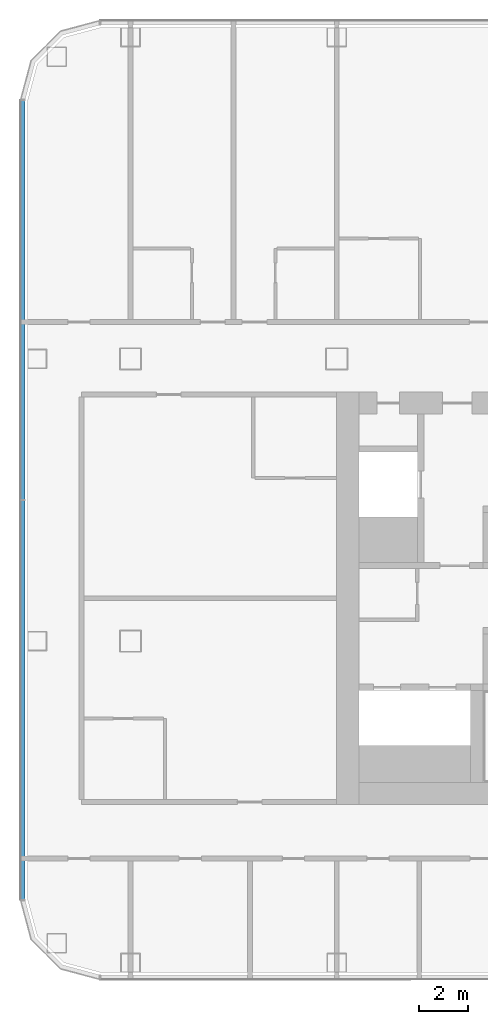
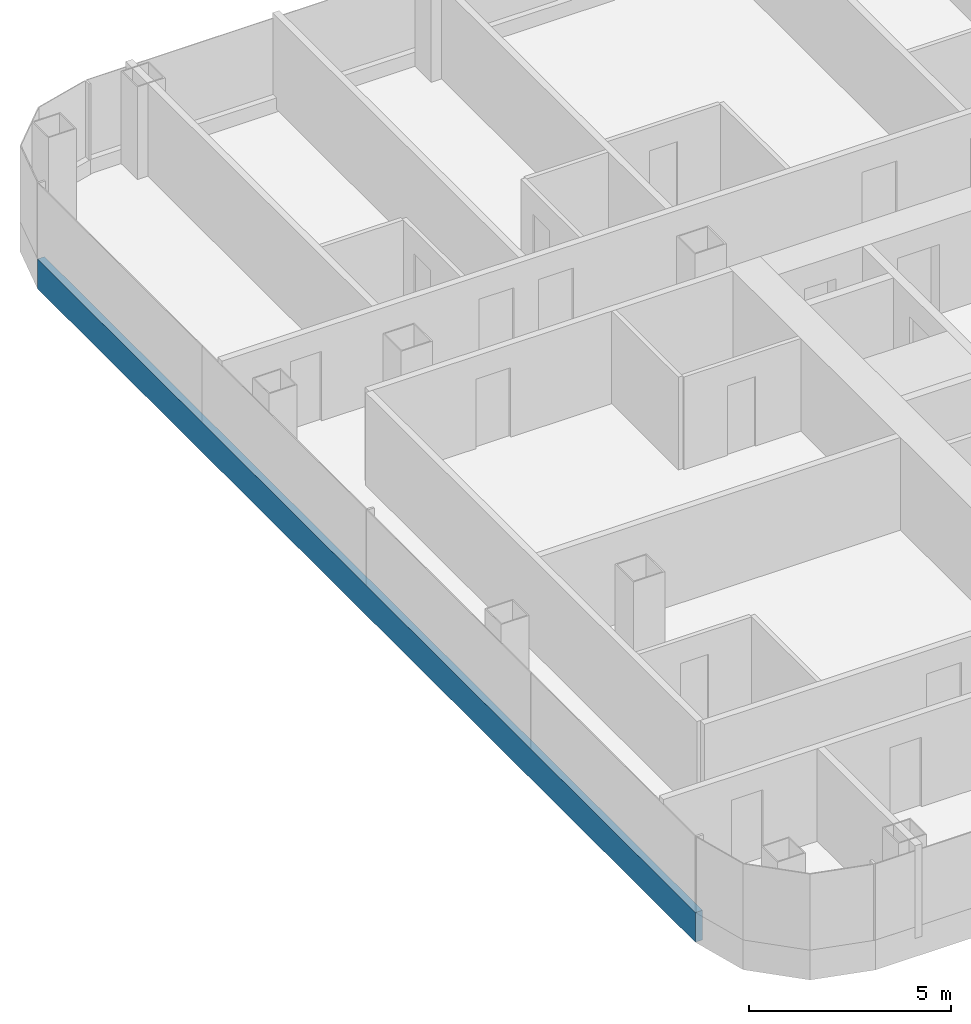
# One storey, part 3 of 29: 1 member, 1 element without a shape of its own.
"""IFC4 building model written with IfcOpenShell, lengths in metres."""

from ifc_helpers import new_model, si_unit, direction, frame, origin, origin_2d, place, context, subcontext, project, spatial, rectangle, extrude, material, layer, layer_set, material_profile, profile_set, type_object, element, aggregate, save


model = new_model("IFC4")

# Units and contexts
model_context = context("Model", 3, precision=1e-05, world=origin(), true_north=direction((0.0, 1.0)))
body_context = subcontext(model_context, "Body", "Model", "MODEL_VIEW")
ifc_project = project(units=[si_unit("LENGTHUNIT", "METRE"), si_unit("AREAUNIT", "SQUARE_METRE"), si_unit("VOLUMEUNIT", "CUBIC_METRE"), si_unit("PLANEANGLEUNIT", "RADIAN"), si_unit("MASSUNIT", "GRAM", prefix="KILO")], contexts=[model_context])

# Site, building, storey
site_placement = place(None, origin())
site = spatial("IfcSite", under=ifc_project, at=site_placement, CompositionType="ELEMENT")
building_placement = place(site_placement, origin())
building = spatial("IfcBuilding", under=site, at=building_placement, Name="Hakoniwa Tower and Hamabe Station Hall", CompositionType="ELEMENT")
storey_placement = place(building_placement, frame((0.0, 0.0, 113.800048828125)))
storey = spatial("IfcBuildingStorey", under=building, at=storey_placement, Name="L32", CompositionType="ELEMENT", Elevation=113.800048828125)

# Curtain wall, member
ifc_material_1 = material(Name="Dark low-e laminated glass", Category="glass")
ifc_layer = layer(ifc_material_1, 0.199951171875)
ifc_layer_set = layer_set([ifc_layer], Name="CW-1 UNITISED GUEST")
curtain_wall_type = type_object("IfcCurtainWallType", Name="CW-1 UNITISED GUEST", PredefinedType="NOTDEFINED", material=ifc_layer_set)
curtain_wall_placement = place(storey_placement, origin())
curtain_wall = element("IfcCurtainWall", 1, at=curtain_wall_placement, inside=storey, type_object=curtain_wall_type, Name="CW-1 curtain wall", PredefinedType="NOTDEFINED")
ifc_material_2 = material(Name="Aluminium 6063-T5 black anodised", Category="aluminium")
ifc_material_profile = material_profile(ifc_material_2, rectangle(XDim=0.199951171875, YDim=0.89990234375, at=origin_2d()), Name="CW SLAB-EDGE BAND 900X200")
ifc_profile_set = profile_set([ifc_material_profile], Name="Aluminium 6063-T5 black anodised")
member_type = type_object("IfcMemberType", Name="CW SLAB-EDGE BAND 900X200", PredefinedType="USERDEFINED", material=ifc_profile_set)
member_placement = place(storey_placement, frame((-46.39990234375, 20.28955078125, -0.10009765625), z_axis=(0.0, -1.0, 0.0), x_axis=(1.0, 0.0, 0.0)))
member = element("IfcMember", 2, at=member_placement, type_object=member_type, Name="CW-1 transom", ObjectType="TRANSOM", PredefinedType="USERDEFINED", context=body_context, shape_type="SweptSolid", body=[
    extrude(rectangle(XDim=0.199951171875, YDim=0.89990234375, at=origin_2d()), origin(), (0.0, 0.0, 1.0), 32.5791015625),
])
aggregate(curtain_wall, [member])

save(model, "model.ifc")
